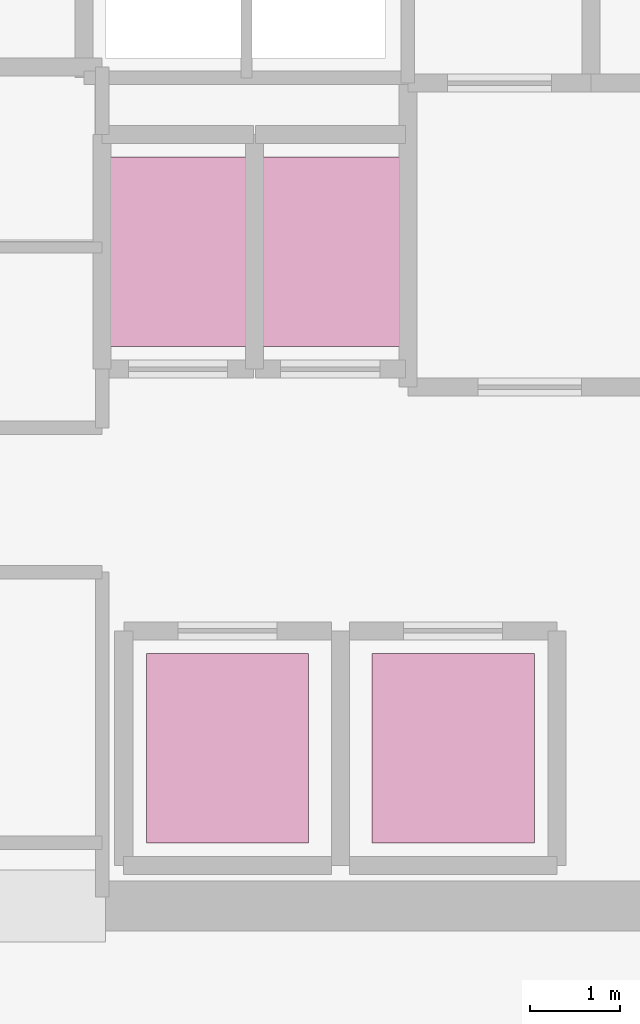
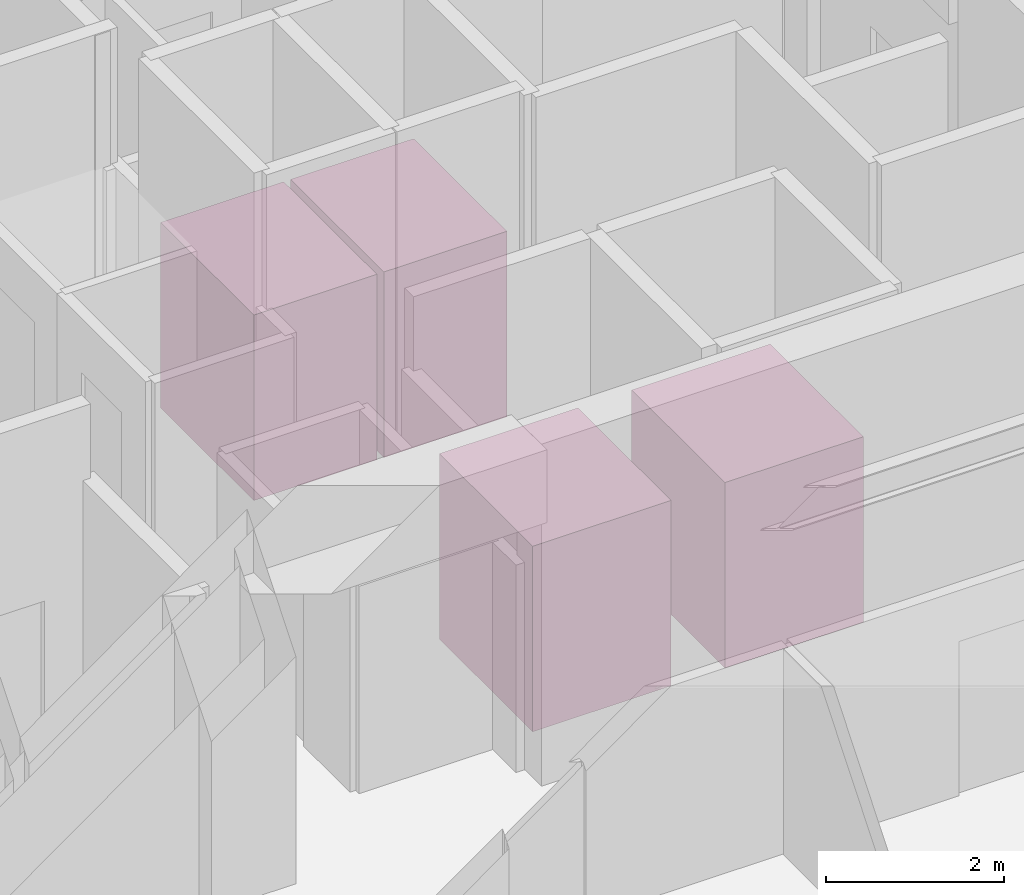
# One storey, part 24 of 24: 4 transport elements.
"""IFC4 building model written with IfcOpenShell, lengths in metres."""

from ifc_helpers import new_model, si_unit, direction, frame, origin, origin_2d, place, context, subcontext, project, spatial, rectangle, extrude, material, type_object, element, save


model = new_model("IFC4")

# Units and contexts
model_context = context("Model", 3, precision=1e-05, world=origin(), true_north=direction((0.0, 1.0)))
body_context = subcontext(model_context, "Body", "Model", "MODEL_VIEW")
ifc_project = project(units=[si_unit("LENGTHUNIT", "METRE"), si_unit("AREAUNIT", "SQUARE_METRE"), si_unit("VOLUMEUNIT", "CUBIC_METRE"), si_unit("PLANEANGLEUNIT", "RADIAN"), si_unit("MASSUNIT", "GRAM", prefix="KILO")], contexts=[model_context])

# Site, building, storey
site_placement = place(None, origin())
site = spatial("IfcSite", under=ifc_project, at=site_placement, CompositionType="ELEMENT")
building_placement = place(site_placement, origin())
building = spatial("IfcBuilding", under=site, at=building_placement, Name="Kovane Verandah Tower", CompositionType="ELEMENT")
storey_placement = place(building_placement, frame((0.0, 0.0, 118.39990234375)))
storey = spatial("IfcBuildingStorey", under=building, at=storey_placement, Name="L27", CompositionType="ELEMENT", Elevation=118.39990234375)

# Transport elements
ifc_material = material(Name="Stainless Steel Lift Car Assembly", Category="steel")
transport_element_type = type_object("IfcTransportElementType", Name="LF-CAR-1800", PredefinedType="ELEVATOR", material=ifc_material)
for number, where, z_axis, x_axis, name in (
    (1, (43.14990234375, 20.25, 0.0), (0.0, 0.0, 1.0), (1.0, 0.0, 0.0), "Lift Car PL-M1"),
    (2, (45.64990234375, 20.25, 0.0), (0.0, 0.0, 1.0), (1.0, 0.0, 0.0), "Lift Car PL-M2"),
):
    element("IfcTransportElement", number, at=place(storey_placement, frame(where, z_axis=z_axis, x_axis=x_axis)), inside=storey, type_object=transport_element_type, Name=name, PredefinedType="ELEVATOR", context=body_context, shape_type="SweptSolid", body=[
        extrude(rectangle(XDim=1.800048828125, YDim=2.10009765625, at=origin_2d()), origin(), (0.0, 0.0, 1.0), 2.550048828125),
    ])
for number, where, z_axis, x_axis, name in (
    (3, (42.60009765625, 25.75, 0.0), (0.0, 0.0, 1.0), (1.0, 0.0, 0.0), "Lift Car PL-M3"),
    (4, (44.2900390625, 25.75, 0.0), (0.0, 0.0, 1.0), (1.0, 0.0, 0.0), "Lift Car PL-M4"),
):
    element("IfcTransportElement", number, at=place(storey_placement, frame(where, z_axis=z_axis, x_axis=x_axis)), inside=storey, type_object=transport_element_type, Name=name, PredefinedType="ELEVATOR", context=body_context, shape_type="SweptSolid", body=[
        extrude(rectangle(XDim=1.60009765625, YDim=2.10009765625, at=origin_2d()), origin(), (0.0, 0.0, 1.0), 2.550048828125),
    ])

save(model, "model.ifc")
